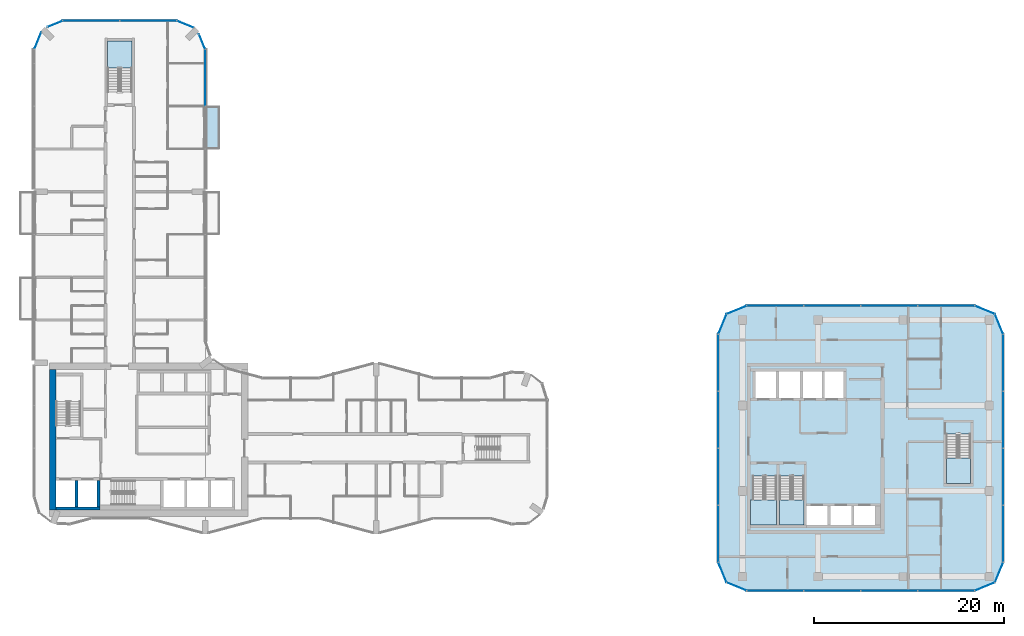
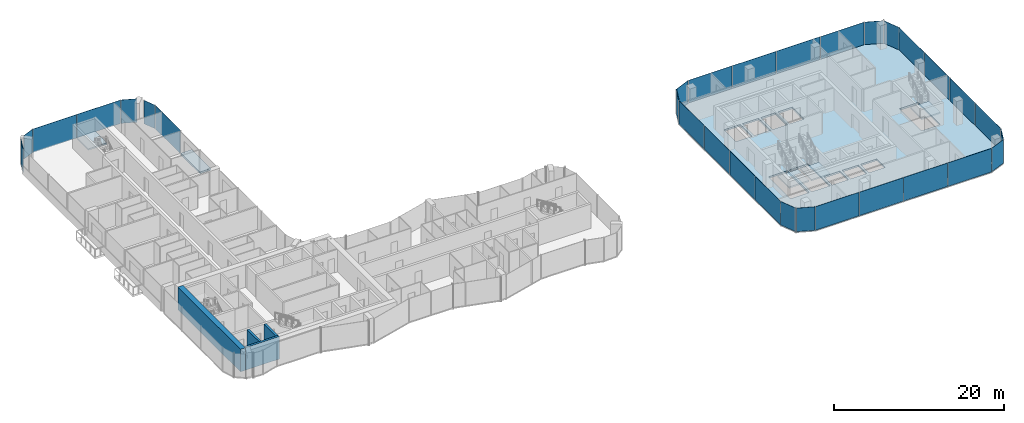
# One storey, part 12 of 23: 31 plates, 6 slabs, 4 walls, 22 elements without a shape of their own.
"""IFC4 building model written with IfcOpenShell, lengths in metres."""

from ifc_helpers import new_model, si_unit, direction, frame, frame_2d, origin, origin_2d, place, context, subcontext, project, spatial, polyline, rectangle, outline, extrude, material, layer, layer_set, type_object, element, aggregate, save


model = new_model("IFC4")

# Units and contexts
model_context = context("Model", 3, precision=1e-05, world=origin(), true_north=direction((0.0, 1.0)))
body_context = subcontext(model_context, "Body", "Model", "MODEL_VIEW")
ifc_project = project(units=[si_unit("LENGTHUNIT", "METRE"), si_unit("AREAUNIT", "SQUARE_METRE"), si_unit("VOLUMEUNIT", "CUBIC_METRE"), si_unit("PLANEANGLEUNIT", "RADIAN"), si_unit("MASSUNIT", "GRAM", prefix="KILO")], contexts=[model_context])

# Site, building, storey
site_placement = place(None, origin())
site = spatial("IfcSite", under=ifc_project, at=site_placement, CompositionType="ELEMENT")
building_placement = place(site_placement, origin())
building = spatial("IfcBuilding", under=site, at=building_placement, Name="Plateau Cross Towers", CompositionType="ELEMENT")
storey_placement = place(building_placement, frame((0.0, 0.0, 95.800048828125)))
storey = spatial("IfcBuildingStorey", under=building, at=storey_placement, Name="L24", CompositionType="ELEMENT", Elevation=95.800048828125)

# Slab
ifc_material_1 = material(Name="Concrete C40/50", Category="concrete")
ifc_layer_1 = layer(ifc_material_1, 0.25)
ifc_layer_set_1 = layer_set([ifc_layer_1], Name="Concrete C40/50")
slab_type_1 = type_object("IfcSlabType", Name="Balcony slab 250", PredefinedType="FLOOR", material=ifc_layer_set_1)
slab_1_placement = place(storey_placement, frame((0.0, 0.0, -0.25)))
element("IfcSlab", 1, at=slab_1_placement, inside=storey, type_object=slab_type_1, Name="Balcony slab A-BAL-L24-04", PredefinedType="FLOOR", context=body_context, shape_type="SweptSolid", body=[
    extrude(outline(polyline([(19.5, 40.5), (19.5, 45.0), (18.0, 45.0), (18.0, 40.5), (19.5, 40.5)])), origin(), (0.0, 0.0, 1.0), 0.25),
])

# Curtain wall, plates
ifc_material_2 = material(Name="Dark low-iron glass", Category="glass")
ifc_layer_2 = layer(ifc_material_2, 0.239990234375)
ifc_layer_set_2 = layer_set([ifc_layer_2], Name="Dark low-iron glass")
curtain_wall_type_1 = type_object("IfcCurtainWallType", Name="Curtain wall office unitised CW-F", PredefinedType="NOTDEFINED", material=ifc_layer_set_2)
curtain_wall_1_placement = place(storey_placement, origin())
curtain_wall_1 = element("IfcCurtainWall", 2, at=curtain_wall_1_placement, inside=storey, type_object=curtain_wall_type_1, Name="ENV/B/L24/B750_-60", PredefinedType="NOTDEFINED")
ifc_layer_3 = layer(ifc_material_2, 0.028076171875)
ifc_layer_set_3 = layer_set([ifc_layer_3], Name="Dark low-iron glass")
plate_type_1 = type_object("IfcPlateType", Name="Glass panel 28 office unitised", PredefinedType="CURTAIN_PANEL", material=ifc_layer_set_3)
plate_1_placement = place(storey_placement, frame((78.0, -6.0, -0.1298828125), z_axis=(0.0, 0.0, 1.0), x_axis=(1.0, 0.0, 0.0)))
plate_1 = element("IfcPlate", 3, at=plate_1_placement, type_object=plate_type_1, Name="CW-F panel 1", PredefinedType="CURTAIN_PANEL", context=body_context, shape_type="SweptSolid", body=[
    extrude(rectangle(XDim=5.93994140625, YDim=0.028076171875, at=origin_2d()), origin(), (0.0, 0.0, 1.0), 3.3798828125),
])
plate_2_placement = place(storey_placement, frame((84.0, -6.0, -0.1298828125), z_axis=(0.0, 0.0, 1.0), x_axis=(1.0, 0.0, 0.0)))
plate_2 = element("IfcPlate", 4, at=plate_2_placement, type_object=plate_type_1, Name="CW-F panel 2", PredefinedType="CURTAIN_PANEL", context=body_context, shape_type="SweptSolid", body=[
    extrude(rectangle(XDim=5.93994140625, YDim=0.028076171875, at=origin_2d()), origin(), (0.0, 0.0, 1.0), 3.3798828125),
])
plate_3_placement = place(storey_placement, frame((90.0, -6.0, -0.1298828125), z_axis=(0.0, 0.0, 1.0), x_axis=(1.0, 0.0, 0.0)))
plate_3 = element("IfcPlate", 5, at=plate_3_placement, type_object=plate_type_1, Name="CW-F panel 3", PredefinedType="CURTAIN_PANEL", context=body_context, shape_type="SweptSolid", body=[
    extrude(rectangle(XDim=5.93994140625, YDim=0.028076171875, at=origin_2d()), origin(), (0.0, 0.0, 1.0), 3.3798828125),
])
plate_4_placement = place(storey_placement, frame((96.0, -6.0, -0.1298828125), z_axis=(0.0, 0.0, 1.0), x_axis=(1.0, 0.0, 0.0)))
plate_4 = element("IfcPlate", 6, at=plate_4_placement, type_object=plate_type_1, Name="CW-F panel 4", PredefinedType="CURTAIN_PANEL", context=body_context, shape_type="SweptSolid", body=[
    extrude(rectangle(XDim=5.93994140625, YDim=0.028076171875, at=origin_2d()), origin(), (0.0, 0.0, 1.0), 3.3798828125),
])
aggregate(curtain_wall_1, [plate_1, plate_2, plate_3, plate_4])

# Curtain wall, plate
curtain_wall_2_placement = place(storey_placement, origin())
curtain_wall_2 = element("IfcCurtainWall", 7, at=curtain_wall_2_placement, inside=storey, type_object=curtain_wall_type_1, Name="ENV/B/L24/B990_-60", PredefinedType="NOTDEFINED")
plate_5_placement = place(storey_placement, frame((100.060546875, -5.560546875, -0.1298828125), z_axis=(0.0, 0.0, 1.0), x_axis=(0.923879457699, 0.382683612978, 0.0)))
plate_5 = element("IfcPlate", 8, at=plate_5_placement, type_object=plate_type_1, Name="CW-F panel 1", PredefinedType="CURTAIN_PANEL", context=body_context, shape_type="SweptSolid", body=[
    extrude(rectangle(XDim=2.236083984375, YDim=0.028076171875, at=origin_2d()), origin(), (0.0, 0.0, 1.0), 3.3798828125),
])
aggregate(curtain_wall_2, [plate_5])

curtain_wall_3_placement = place(storey_placement, origin())
curtain_wall_3 = element("IfcCurtainWall", 9, at=curtain_wall_3_placement, inside=storey, type_object=curtain_wall_type_1, Name="ENV/B/L24/B1011_-51", PredefinedType="NOTDEFINED")
plate_6_placement = place(storey_placement, frame((101.560546875, -4.060546875, -0.1298828125), z_axis=(0.0, 0.0, 1.0), x_axis=(0.382683612978, 0.923879457699, 0.0)))
plate_6 = element("IfcPlate", 10, at=plate_6_placement, type_object=plate_type_1, Name="CW-F panel 1", PredefinedType="CURTAIN_PANEL", context=body_context, shape_type="SweptSolid", body=[
    extrude(rectangle(XDim=2.236083984375, YDim=0.028076171875, at=origin_2d()), origin(), (0.0, 0.0, 1.0), 3.3798828125),
])
aggregate(curtain_wall_3, [plate_6])

# Curtain wall, plates
curtain_wall_4_placement = place(storey_placement, origin())
curtain_wall_4 = element("IfcCurtainWall", 11, at=curtain_wall_4_placement, inside=storey, type_object=curtain_wall_type_1, Name="ENV/B/L24/B1020_-30", PredefinedType="NOTDEFINED")
plate_7_placement = place(storey_placement, frame((102.0, 0.0, -0.1298828125), z_axis=(0.0, 0.0, 1.0), x_axis=(0.0, 1.0, 0.0)))
plate_7 = element("IfcPlate", 12, at=plate_7_placement, type_object=plate_type_1, Name="CW-F panel 1", PredefinedType="CURTAIN_PANEL", context=body_context, shape_type="SweptSolid", body=[
    extrude(rectangle(XDim=5.93994140625, YDim=0.028076171875, at=origin_2d()), origin(), (0.0, 0.0, 1.0), 3.3798828125),
])
plate_8_placement = place(storey_placement, frame((102.0, 6.0, -0.1298828125), z_axis=(0.0, 0.0, 1.0), x_axis=(0.0, 1.0, 0.0)))
plate_8 = element("IfcPlate", 13, at=plate_8_placement, type_object=plate_type_1, Name="CW-F panel 2", PredefinedType="CURTAIN_PANEL", context=body_context, shape_type="SweptSolid", body=[
    extrude(rectangle(XDim=5.93994140625, YDim=0.028076171875, at=origin_2d()), origin(), (0.0, 0.0, 1.0), 3.3798828125),
])
plate_9_placement = place(storey_placement, frame((102.0, 12.0, -0.1298828125), z_axis=(0.0, 0.0, 1.0), x_axis=(0.0, 1.0, 0.0)))
plate_9 = element("IfcPlate", 14, at=plate_9_placement, type_object=plate_type_1, Name="CW-F panel 3", PredefinedType="CURTAIN_PANEL", context=body_context, shape_type="SweptSolid", body=[
    extrude(rectangle(XDim=5.93994140625, YDim=0.028076171875, at=origin_2d()), origin(), (0.0, 0.0, 1.0), 3.3798828125),
])
plate_10_placement = place(storey_placement, frame((102.0, 18.0, -0.1298828125), z_axis=(0.0, 0.0, 1.0), x_axis=(0.0, 1.0, 0.0)))
plate_10 = element("IfcPlate", 15, at=plate_10_placement, type_object=plate_type_1, Name="CW-F panel 4", PredefinedType="CURTAIN_PANEL", context=body_context, shape_type="SweptSolid", body=[
    extrude(rectangle(XDim=5.93994140625, YDim=0.028076171875, at=origin_2d()), origin(), (0.0, 0.0, 1.0), 3.3798828125),
])
aggregate(curtain_wall_4, [plate_7, plate_8, plate_9, plate_10])

# Curtain wall, plate
curtain_wall_5_placement = place(storey_placement, origin())
curtain_wall_5 = element("IfcCurtainWall", 16, at=curtain_wall_5_placement, inside=storey, type_object=curtain_wall_type_1, Name="ENV/B/L24/B1020_210", PredefinedType="NOTDEFINED")
plate_11_placement = place(storey_placement, frame((101.560546875, 22.060546875, -0.1298828125), z_axis=(0.0, 0.0, 1.0), x_axis=(-0.382683612978, 0.923879457699, 0.0)))
plate_11 = element("IfcPlate", 17, at=plate_11_placement, type_object=plate_type_1, Name="CW-F panel 1", PredefinedType="CURTAIN_PANEL", context=body_context, shape_type="SweptSolid", body=[
    extrude(rectangle(XDim=2.236083984375, YDim=0.028076171875, at=origin_2d()), origin(), (0.0, 0.0, 1.0), 3.3798828125),
])
aggregate(curtain_wall_5, [plate_11])

curtain_wall_6_placement = place(storey_placement, origin())
curtain_wall_6 = element("IfcCurtainWall", 18, at=curtain_wall_6_placement, inside=storey, type_object=curtain_wall_type_1, Name="ENV/B/L24/B1011_231", PredefinedType="NOTDEFINED")
plate_12_placement = place(storey_placement, frame((100.060546875, 23.560546875, -0.1298828125), z_axis=(0.0, 0.0, 1.0), x_axis=(-0.923879457699, 0.382683612978, 0.0)))
plate_12 = element("IfcPlate", 19, at=plate_12_placement, type_object=plate_type_1, Name="CW-F panel 1", PredefinedType="CURTAIN_PANEL", context=body_context, shape_type="SweptSolid", body=[
    extrude(rectangle(XDim=2.236083984375, YDim=0.028076171875, at=origin_2d()), origin(), (0.0, 0.0, 1.0), 3.3798828125),
])
aggregate(curtain_wall_6, [plate_12])

# Curtain wall, plates
curtain_wall_7_placement = place(storey_placement, origin())
curtain_wall_7 = element("IfcCurtainWall", 20, at=curtain_wall_7_placement, inside=storey, type_object=curtain_wall_type_1, Name="ENV/B/L24/B990_240", PredefinedType="NOTDEFINED")
plate_13_placement = place(storey_placement, frame((96.0, 24.0, -0.1298828125), z_axis=(0.0, 0.0, 1.0), x_axis=(-1.0, 0.0, 0.0)))
plate_13 = element("IfcPlate", 21, at=plate_13_placement, type_object=plate_type_1, Name="CW-F panel 1", PredefinedType="CURTAIN_PANEL", context=body_context, shape_type="SweptSolid", body=[
    extrude(rectangle(XDim=5.93994140625, YDim=0.028076171875, at=origin_2d()), origin(), (0.0, 0.0, 1.0), 3.3798828125),
])
plate_14_placement = place(storey_placement, frame((90.0, 24.0, -0.1298828125), z_axis=(0.0, 0.0, 1.0), x_axis=(-1.0, 0.0, 0.0)))
plate_14 = element("IfcPlate", 22, at=plate_14_placement, type_object=plate_type_1, Name="CW-F panel 2", PredefinedType="CURTAIN_PANEL", context=body_context, shape_type="SweptSolid", body=[
    extrude(rectangle(XDim=5.93994140625, YDim=0.028076171875, at=origin_2d()), origin(), (0.0, 0.0, 1.0), 3.3798828125),
])
plate_15_placement = place(storey_placement, frame((84.0, 24.0, -0.1298828125), z_axis=(0.0, 0.0, 1.0), x_axis=(-1.0, 0.0, 0.0)))
plate_15 = element("IfcPlate", 23, at=plate_15_placement, type_object=plate_type_1, Name="CW-F panel 3", PredefinedType="CURTAIN_PANEL", context=body_context, shape_type="SweptSolid", body=[
    extrude(rectangle(XDim=5.93994140625, YDim=0.028076171875, at=origin_2d()), origin(), (0.0, 0.0, 1.0), 3.3798828125),
])
plate_16_placement = place(storey_placement, frame((78.0, 24.0, -0.1298828125), z_axis=(0.0, 0.0, 1.0), x_axis=(-1.0, 0.0, 0.0)))
plate_16 = element("IfcPlate", 24, at=plate_16_placement, type_object=plate_type_1, Name="CW-F panel 4", PredefinedType="CURTAIN_PANEL", context=body_context, shape_type="SweptSolid", body=[
    extrude(rectangle(XDim=5.93994140625, YDim=0.028076171875, at=origin_2d()), origin(), (0.0, 0.0, 1.0), 3.3798828125),
])
aggregate(curtain_wall_7, [plate_13, plate_14, plate_15, plate_16])

# Curtain wall, plate
curtain_wall_8_placement = place(storey_placement, origin())
curtain_wall_8 = element("IfcCurtainWall", 25, at=curtain_wall_8_placement, inside=storey, type_object=curtain_wall_type_1, Name="ENV/B/L24/B750_240", PredefinedType="NOTDEFINED")
plate_17_placement = place(storey_placement, frame((73.939453125, 23.560546875, -0.1298828125), z_axis=(0.0, 0.0, 1.0), x_axis=(-0.923879457699, -0.382683612978, 0.0)))
plate_17 = element("IfcPlate", 26, at=plate_17_placement, type_object=plate_type_1, Name="CW-F panel 1", PredefinedType="CURTAIN_PANEL", context=body_context, shape_type="SweptSolid", body=[
    extrude(rectangle(XDim=2.236083984375, YDim=0.028076171875, at=origin_2d()), origin(), (0.0, 0.0, 1.0), 3.3798828125),
])
aggregate(curtain_wall_8, [plate_17])

curtain_wall_9_placement = place(storey_placement, origin())
curtain_wall_9 = element("IfcCurtainWall", 27, at=curtain_wall_9_placement, inside=storey, type_object=curtain_wall_type_1, Name="ENV/B/L24/B729_231", PredefinedType="NOTDEFINED")
plate_18_placement = place(storey_placement, frame((72.439453125, 22.060546875, -0.1298828125), z_axis=(0.0, 0.0, 1.0), x_axis=(-0.382683612978, -0.923879457699, 0.0)))
plate_18 = element("IfcPlate", 28, at=plate_18_placement, type_object=plate_type_1, Name="CW-F panel 1", PredefinedType="CURTAIN_PANEL", context=body_context, shape_type="SweptSolid", body=[
    extrude(rectangle(XDim=2.236083984375, YDim=0.028076171875, at=origin_2d()), origin(), (0.0, 0.0, 1.0), 3.3798828125),
])
aggregate(curtain_wall_9, [plate_18])

# Curtain wall, plates
curtain_wall_10_placement = place(storey_placement, origin())
curtain_wall_10 = element("IfcCurtainWall", 29, at=curtain_wall_10_placement, inside=storey, type_object=curtain_wall_type_1, Name="ENV/B/L24/B720_210", PredefinedType="NOTDEFINED")
plate_19_placement = place(storey_placement, frame((72.0, 18.0, -0.1298828125), z_axis=(0.0, 0.0, 1.0), x_axis=(0.0, -1.0, 0.0)))
plate_19 = element("IfcPlate", 30, at=plate_19_placement, type_object=plate_type_1, Name="CW-F panel 1", PredefinedType="CURTAIN_PANEL", context=body_context, shape_type="SweptSolid", body=[
    extrude(rectangle(XDim=5.93994140625, YDim=0.028076171875, at=origin_2d()), origin(), (0.0, 0.0, 1.0), 3.3798828125),
])
plate_20_placement = place(storey_placement, frame((72.0, 12.0, -0.1298828125), z_axis=(0.0, 0.0, 1.0), x_axis=(0.0, -1.0, 0.0)))
plate_20 = element("IfcPlate", 31, at=plate_20_placement, type_object=plate_type_1, Name="CW-F panel 2", PredefinedType="CURTAIN_PANEL", context=body_context, shape_type="SweptSolid", body=[
    extrude(rectangle(XDim=5.93994140625, YDim=0.028076171875, at=origin_2d()), origin(), (0.0, 0.0, 1.0), 3.3798828125),
])
plate_21_placement = place(storey_placement, frame((72.0, 6.0, -0.1298828125), z_axis=(0.0, 0.0, 1.0), x_axis=(0.0, -1.0, 0.0)))
plate_21 = element("IfcPlate", 32, at=plate_21_placement, type_object=plate_type_1, Name="CW-F panel 3", PredefinedType="CURTAIN_PANEL", context=body_context, shape_type="SweptSolid", body=[
    extrude(rectangle(XDim=5.93994140625, YDim=0.028076171875, at=origin_2d()), origin(), (0.0, 0.0, 1.0), 3.3798828125),
])
plate_22_placement = place(storey_placement, frame((72.0, 0.0, -0.1298828125), z_axis=(0.0, 0.0, 1.0), x_axis=(0.0, -1.0, 0.0)))
plate_22 = element("IfcPlate", 33, at=plate_22_placement, type_object=plate_type_1, Name="CW-F panel 4", PredefinedType="CURTAIN_PANEL", context=body_context, shape_type="SweptSolid", body=[
    extrude(rectangle(XDim=5.93994140625, YDim=0.028076171875, at=origin_2d()), origin(), (0.0, 0.0, 1.0), 3.3798828125),
])
aggregate(curtain_wall_10, [plate_19, plate_20, plate_21, plate_22])

# Curtain wall, plate
curtain_wall_11_placement = place(storey_placement, origin())
curtain_wall_11 = element("IfcCurtainWall", 34, at=curtain_wall_11_placement, inside=storey, type_object=curtain_wall_type_1, Name="ENV/B/L24/B720_-30", PredefinedType="NOTDEFINED")
plate_23_placement = place(storey_placement, frame((72.439453125, -4.060546875, -0.1298828125), z_axis=(0.0, 0.0, 1.0), x_axis=(0.382683612978, -0.923879457699, 0.0)))
plate_23 = element("IfcPlate", 35, at=plate_23_placement, type_object=plate_type_1, Name="CW-F panel 1", PredefinedType="CURTAIN_PANEL", context=body_context, shape_type="SweptSolid", body=[
    extrude(rectangle(XDim=2.236083984375, YDim=0.028076171875, at=origin_2d()), origin(), (0.0, 0.0, 1.0), 3.3798828125),
])
aggregate(curtain_wall_11, [plate_23])

curtain_wall_12_placement = place(storey_placement, origin())
curtain_wall_12 = element("IfcCurtainWall", 36, at=curtain_wall_12_placement, inside=storey, type_object=curtain_wall_type_1, Name="ENV/B/L24/B729_-51", PredefinedType="NOTDEFINED")
plate_24_placement = place(storey_placement, frame((73.939453125, -5.560546875, -0.1298828125), z_axis=(0.0, 0.0, 1.0), x_axis=(0.923879457699, -0.382683612978, 0.0)))
plate_24 = element("IfcPlate", 37, at=plate_24_placement, type_object=plate_type_1, Name="CW-F panel 1", PredefinedType="CURTAIN_PANEL", context=body_context, shape_type="SweptSolid", body=[
    extrude(rectangle(XDim=2.236083984375, YDim=0.028076171875, at=origin_2d()), origin(), (0.0, 0.0, 1.0), 3.3798828125),
])
aggregate(curtain_wall_12, [plate_24])

ifc_layer_4 = layer(ifc_material_2, 0.239990234375)
ifc_layer_set_4 = layer_set([ifc_layer_4], Name="Dark low-iron glass")
curtain_wall_type_2 = type_object("IfcCurtainWallType", Name="Curtain wall flush unitised CW-B", PredefinedType="NOTDEFINED", material=ifc_layer_set_4)
curtain_wall_13_placement = place(storey_placement, origin())
curtain_wall_13 = element("IfcCurtainWall", 38, at=curtain_wall_13_placement, inside=storey, type_object=curtain_wall_type_2, Name="ENV/A/L24/A180_450", PredefinedType="NOTDEFINED")
ifc_layer_5 = layer(ifc_material_2, 0.031982421875)
ifc_layer_set_5 = layer_set([ifc_layer_5], Name="Dark low-iron glass")
plate_type_2 = type_object("IfcPlateType", Name="Glass panel 32 flush unitised", PredefinedType="CURTAIN_PANEL", material=ifc_layer_set_5)
plate_25_placement = place(storey_placement, frame((18.0, 48.0048828125, -0.1298828125), z_axis=(0.0, 0.0, 1.0), x_axis=(0.0, 1.0, 0.0)))
plate_25 = element("IfcPlate", 39, at=plate_25_placement, type_object=plate_type_2, Name="CW-B panel 1", PredefinedType="CURTAIN_PANEL", context=body_context, shape_type="SweptSolid", body=[
    extrude(rectangle(XDim=5.929931640625, YDim=0.031982421875, at=origin_2d()), origin(), (0.0, 0.0, 1.0), 3.3798828125),
])
aggregate(curtain_wall_13, [plate_25])

curtain_wall_14_placement = place(storey_placement, origin())
curtain_wall_14 = element("IfcCurtainWall", 40, at=curtain_wall_14_placement, inside=storey, type_object=curtain_wall_type_2, Name="ENV/A/L24/A180_510", PredefinedType="NOTDEFINED")
plate_26_placement = place(storey_placement, frame((17.66943359375, 51.79833984375, -0.1298828125), z_axis=(0.0, 0.0, 1.0), x_axis=(-0.382683612978, 0.923879457699, 0.0)))
plate_26 = element("IfcPlate", 41, at=plate_26_placement, type_object=plate_type_2, Name="CW-B panel 1", PredefinedType="CURTAIN_PANEL", context=body_context, shape_type="SweptSolid", body=[
    extrude(rectangle(XDim=1.668212890625, YDim=0.031982421875, at=origin_2d()), origin(), (0.0, 0.0, 1.0), 3.3798828125),
])
aggregate(curtain_wall_14, [plate_26])

curtain_wall_15_placement = place(storey_placement, origin())
curtain_wall_15 = element("IfcCurtainWall", 42, at=curtain_wall_15_placement, inside=storey, type_object=curtain_wall_type_2, Name="ENV/A/L24/A168_533", PredefinedType="NOTDEFINED")
plate_27_placement = place(storey_placement, frame((15.90283203125, 53.6259765625, -0.1298828125), z_axis=(0.0, 0.0, 1.0), x_axis=(-0.923879457699, 0.382683612978, 0.0)))
plate_27 = element("IfcPlate", 43, at=plate_27_placement, type_object=plate_type_2, Name="CW-B panel 1", PredefinedType="CURTAIN_PANEL", context=body_context, shape_type="SweptSolid", body=[
    extrude(rectangle(XDim=1.894775390625, YDim=0.031982421875, at=origin_2d()), origin(), (0.0, 0.0, 1.0), 3.3798828125),
])
aggregate(curtain_wall_15, [plate_27])

# Curtain wall, plates
curtain_wall_16_placement = place(storey_placement, origin())
curtain_wall_16 = element("IfcCurtainWall", 44, at=curtain_wall_16_placement, inside=storey, type_object=curtain_wall_type_2, Name="ENV/A/L24/A150_540", PredefinedType="NOTDEFINED")
plate_28_placement = place(storey_placement, frame((12.0, 54.0, -0.1298828125), z_axis=(0.0, 0.0, 1.0), x_axis=(-1.0, 0.0, 0.0)))
plate_28 = element("IfcPlate", 45, at=plate_28_placement, type_object=plate_type_2, Name="CW-B panel 1", PredefinedType="CURTAIN_PANEL", context=body_context, shape_type="SweptSolid", body=[
    extrude(rectangle(XDim=5.93994140625, YDim=0.031982421875, at=origin_2d()), origin(), (0.0, 0.0, 1.0), 3.3798828125),
])
plate_29_placement = place(storey_placement, frame((6.0, 54.0, -0.1298828125), z_axis=(0.0, 0.0, 1.0), x_axis=(-1.0, 0.0, 0.0)))
plate_29 = element("IfcPlate", 46, at=plate_29_placement, type_object=plate_type_2, Name="CW-B panel 2", PredefinedType="CURTAIN_PANEL", context=body_context, shape_type="SweptSolid", body=[
    extrude(rectangle(XDim=5.93994140625, YDim=0.031982421875, at=origin_2d()), origin(), (0.0, 0.0, 1.0), 3.3798828125),
])
aggregate(curtain_wall_16, [plate_28, plate_29])

# Curtain wall, plate
curtain_wall_17_placement = place(storey_placement, origin())
curtain_wall_17 = element("IfcCurtainWall", 47, at=curtain_wall_17_placement, inside=storey, type_object=curtain_wall_type_2, Name="ENV/A/L24/A30_540", PredefinedType="NOTDEFINED")
plate_30_placement = place(storey_placement, frame((2.20166015625, 53.66943359375, -0.1298828125), z_axis=(0.0, 0.0, 1.0), x_axis=(-0.923879457699, -0.382683612978, 0.0)))
plate_30 = element("IfcPlate", 48, at=plate_30_placement, type_object=plate_type_2, Name="CW-B panel 1", PredefinedType="CURTAIN_PANEL", context=body_context, shape_type="SweptSolid", body=[
    extrude(rectangle(XDim=1.668212890625, YDim=0.031982421875, at=origin_2d()), origin(), (0.0, 0.0, 1.0), 3.3798828125),
])
aggregate(curtain_wall_17, [plate_30])

curtain_wall_18_placement = place(storey_placement, origin())
curtain_wall_18 = element("IfcCurtainWall", 49, at=curtain_wall_18_placement, inside=storey, type_object=curtain_wall_type_2, Name="ENV/A/L24/A7_528", PredefinedType="NOTDEFINED")
plate_31_placement = place(storey_placement, frame((0.3740234375, 51.90283203125, -0.1298828125), z_axis=(0.0, 0.0, 1.0), x_axis=(-0.382683612978, -0.923879457699, 0.0)))
plate_31 = element("IfcPlate", 50, at=plate_31_placement, type_object=plate_type_2, Name="CW-B panel 1", PredefinedType="CURTAIN_PANEL", context=body_context, shape_type="SweptSolid", body=[
    extrude(rectangle(XDim=1.894775390625, YDim=0.031982421875, at=origin_2d()), origin(), (0.0, 0.0, 1.0), 3.3798828125),
])
aggregate(curtain_wall_18, [plate_31])

# Slab
ifc_layer_6 = layer(ifc_material_1, 0.25)
ifc_layer_set_6 = layer_set([ifc_layer_6], Name="Concrete C40/50")
slab_type_2 = type_object("IfcSlabType", Name="Post-tensioned flat plate slab 250", PredefinedType="FLOOR", material=ifc_layer_set_6)
slab_2_placement = place(storey_placement, frame((0.0, 0.0, -0.25)))
element("IfcSlab", 51, at=slab_2_placement, inside=storey, type_object=slab_type_2, Name="SL-B-L24", PredefinedType="FLOOR", context=body_context, shape_type="SweptSolid", body=[
    extrude(outline(polyline([(72.878662109375, -5.121337890625), (72.0, -3.0), (72.0, 21.0), (72.878662109375, 23.121337890625), (75.0, 24.0), (99.0, 24.0), (101.121337890625, 23.121337890625), (102.0, 21.0), (102.0, -3.0), (101.121337890625, -5.121337890625), (99.0, -6.0), (75.0, -6.0), (72.878662109375, -5.121337890625)]), holes=[polyline([(75.60009765625, 0.89990234375), (78.14990234375, 0.89990234375), (78.14990234375, 6.10009765625), (75.60009765625, 6.10009765625), (75.60009765625, 0.89990234375)]), polyline([(78.10009765625, 14.300048828125), (78.10009765625, 17.10009765625), (75.89990234375, 17.10009765625), (75.89990234375, 14.300048828125), (78.10009765625, 14.300048828125)]), polyline([(83.5, 0.89990234375), (83.5, 2.89990234375), (81.300048828125, 2.89990234375), (81.300048828125, 0.89990234375), (83.5, 0.89990234375)]), polyline([(86.0, 0.89990234375), (86.0, 2.89990234375), (83.800048828125, 2.89990234375), (83.800048828125, 0.89990234375), (86.0, 0.89990234375)]), polyline([(88.5, 0.89990234375), (88.5, 2.89990234375), (86.300048828125, 2.89990234375), (86.300048828125, 0.89990234375), (88.5, 0.89990234375)]), polyline([(78.449951171875, 0.89990234375), (81.0, 0.89990234375), (81.0, 6.10009765625), (78.449951171875, 6.10009765625), (78.449951171875, 0.89990234375)]), polyline([(96.0, 5.300048828125), (98.550048828125, 5.300048828125), (98.550048828125, 10.5), (96.0, 10.5), (96.0, 5.300048828125)]), polyline([(80.60009765625, 14.300048828125), (80.60009765625, 17.10009765625), (78.39990234375, 17.10009765625), (78.39990234375, 14.300048828125), (80.60009765625, 14.300048828125)]), polyline([(80.89990234375, 14.300048828125), (82.89990234375, 14.300048828125), (82.89990234375, 17.10009765625), (80.89990234375, 17.10009765625), (80.89990234375, 14.300048828125)]), polyline([(83.199951171875, 14.300048828125), (85.199951171875, 14.300048828125), (85.199951171875, 17.10009765625), (83.199951171875, 17.10009765625), (83.199951171875, 14.300048828125)])]), origin(), (0.0, 0.0, 1.0), 0.25),
])

# Stair, slab
stair_type = type_object("IfcStairType", Name="ST-TWR", PredefinedType="HALF_TURN_STAIR", material=ifc_material_1)
stair_1_placement = place(storey_placement, origin())
stair_1 = element("IfcStair", 52, at=stair_1_placement, inside=storey, type_object=stair_type, Name="L24 Protected Exit Stair SB-1", PredefinedType="HALF_TURN_STAIR")
ifc_layer_7 = layer(ifc_material_1, 0.199951171875)
ifc_layer_set_7 = layer_set([ifc_layer_7], Name="Concrete C40/50")
slab_type_3 = type_object("IfcSlabType", Name="SL-LANDING", PredefinedType="LANDING", material=ifc_layer_set_7)
slab_3_placement = place(storey_placement, frame((0.0, 0.0, 1.550048828125)))
slab_3 = element("IfcSlab", 53, at=slab_3_placement, type_object=slab_type_3, Name="SB-1 landing 1", PredefinedType="LANDING", context=body_context, shape_type="SweptSolid", body=[
    extrude(outline(polyline([(75.39990234375, 3.580078125), (75.39990234375, 0.89990234375), (78.14990234375, 0.89990234375), (78.14990234375, 3.580078125), (75.39990234375, 3.580078125)])), origin(), (0.0, 0.0, 1.0), 0.199951171875),
])
aggregate(stair_1, [slab_3])

stair_2_placement = place(storey_placement, origin())
stair_2 = element("IfcStair", 54, at=stair_2_placement, inside=storey, type_object=stair_type, Name="L24 Protected Exit Stair SB-2", PredefinedType="HALF_TURN_STAIR")
slab_4_placement = place(storey_placement, frame((0.0, 0.0, 1.550048828125)))
slab_4 = element("IfcSlab", 55, at=slab_4_placement, type_object=slab_type_3, Name="SB-2 landing 1", PredefinedType="LANDING", context=body_context, shape_type="SweptSolid", body=[
    extrude(outline(polyline([(78.449951171875, 3.580078125), (78.449951171875, 0.89990234375), (81.0, 0.89990234375), (81.0, 3.580078125), (78.449951171875, 3.580078125)])), origin(), (0.0, 0.0, 1.0), 0.199951171875),
])
aggregate(stair_2, [slab_4])

stair_3_placement = place(storey_placement, origin())
stair_3 = element("IfcStair", 56, at=stair_3_placement, inside=storey, type_object=stair_type, Name="L24 Protected Exit Stair SB-3", PredefinedType="HALF_TURN_STAIR")
slab_5_placement = place(storey_placement, frame((0.0, 0.0, 1.550048828125)))
slab_5 = element("IfcSlab", 57, at=slab_5_placement, type_object=slab_type_3, Name="SB-3 landing 1", PredefinedType="LANDING", context=body_context, shape_type="SweptSolid", body=[
    extrude(outline(polyline([(96.0, 7.97998046875), (96.0, 5.300048828125), (98.550048828125, 5.300048828125), (98.550048828125, 7.97998046875), (96.0, 7.97998046875)])), origin(), (0.0, 0.0, 1.0), 0.199951171875),
])
aggregate(stair_3, [slab_5])

stair_4_placement = place(storey_placement, origin())
stair_4 = element("IfcStair", 58, at=stair_4_placement, inside=storey, type_object=stair_type, Name="L24 Protected Exit Stair N", PredefinedType="HALF_TURN_STAIR")
slab_6_placement = place(storey_placement, frame((0.0, 0.0, 1.550048828125)))
slab_6 = element("IfcSlab", 59, at=slab_6_placement, type_object=slab_type_3, Name="ES-N landing 1", PredefinedType="LANDING", context=body_context, shape_type="SweptSolid", body=[
    extrude(outline(polyline([(10.27490234375, 49.02001953125), (10.27490234375, 51.85009765625), (7.72509765625, 51.85009765625), (7.72509765625, 49.02001953125), (10.27490234375, 49.02001953125)])), origin(), (0.0, 0.0, 1.0), 0.199951171875),
])
aggregate(stair_4, [slab_6])

# Walls
ifc_material_3 = material(Name="Concrete C60/75", Category="concrete")
ifc_layer_8 = layer(ifc_material_3, 0.300048828125)
ifc_layer_set_8 = layer_set([ifc_layer_8], Name="Concrete C60/75")
wall_type_1 = type_object("IfcWallType", Name="Core shaft wall 300", PredefinedType="SHEAR", material=ifc_layer_set_8)
wall_1_placement = place(storey_placement, frame((2.300048828125, 2.64990234375, 0.0), z_axis=(0.0, 0.0, 1.0), x_axis=(1.0, 0.0, 0.0)))
element("IfcWall", 60, at=wall_1_placement, inside=storey, type_object=wall_type_1, Name="A-sb-back1@L24", PredefinedType="SHEAR", context=body_context, shape_type="SweptSolid", body=[
    extrude(rectangle(XDim=4.599853515625, YDim=0.300048828125, at=frame_2d((2.2998046875, 0.0))), origin(), (0.0, 0.0, 1.0), 3.25),
])
for number, where, z_axis, x_axis, name in (
    (61, (4.449951171875, 2.800048828125, 0.0), (0.0, 0.0, 1.0), (0.0, 1.0, 0.0), "A-sb-v1@L24"),
    (62, (6.75, 2.800048828125, 0.0), (0.0, 0.0, 1.0), (0.0, 1.0, 0.0), "A-sb-v2@L24"),
):
    element("IfcWall", number, at=place(storey_placement, frame(where, z_axis=z_axis, x_axis=x_axis)), inside=storey, type_object=wall_type_1, Name=name, PredefinedType="SHEAR", context=body_context, shape_type="SweptSolid", body=[
        extrude(rectangle(XDim=2.800048828125, YDim=0.300048828125, at=frame_2d((1.39990234375, 0.0))), origin(), (0.0, 0.0, 1.0), 3.25),
    ])
ifc_layer_9 = layer(ifc_material_3, 0.699951171875)
ifc_layer_set_9 = layer_set([ifc_layer_9], Name="Concrete C60/75")
wall_type_2 = type_object("IfcWallType", Name="Core shell wall 700", PredefinedType="SHEAR", material=ifc_layer_set_9)
wall_2_placement = place(storey_placement, frame((1.949951171875, 2.5, 0.0), z_axis=(0.0, 0.0, 1.0), x_axis=(0.0, 1.0, 0.0)))
element("IfcWall", 63, at=wall_2_placement, inside=storey, type_object=wall_type_2, Name="A-core-W@L24", PredefinedType="SHEAR", context=body_context, shape_type="SweptSolid", body=[
    extrude(rectangle(XDim=14.800048828125, YDim=0.699951171875, at=frame_2d((7.39990234375, 0.0))), origin(), (0.0, 0.0, 1.0), 3.25),
])

save(model, "model.ifc")
